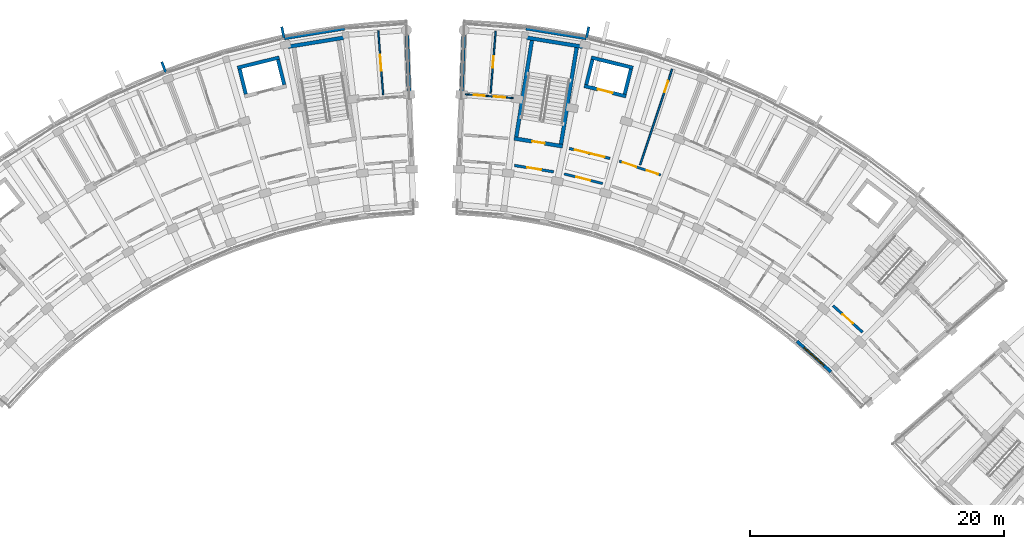
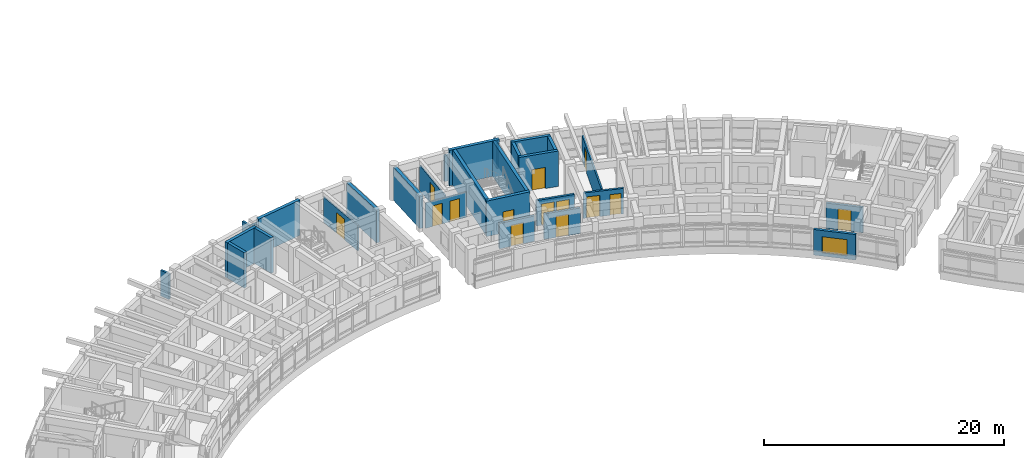
# One storey, part 62 of 83: 29 walls, 14 doors, 1 window, 15 openings.
"""IFC4 building model written with IfcOpenShell, lengths in metres."""

from ifc_helpers import new_model, si_unit, direction, frame, frame_2d, origin, place, context, subcontext, project, spatial, rectangle, extrude, material, layer, layer_set, type_object, element, fill, save


model = new_model("IFC4")

# Units and contexts
model_context = context("Model", 3, precision=1e-05, world=origin(), true_north=direction((0.0, 1.0)))
body_context = subcontext(model_context, "Body", "Model", "MODEL_VIEW")
ifc_project = project(units=[si_unit("LENGTHUNIT", "METRE"), si_unit("AREAUNIT", "SQUARE_METRE"), si_unit("VOLUMEUNIT", "CUBIC_METRE"), si_unit("PLANEANGLEUNIT", "RADIAN"), si_unit("MASSUNIT", "GRAM", prefix="KILO")], contexts=[model_context])

# Site, building, storey
site_placement = place(None, origin())
site = spatial("IfcSite", under=ifc_project, at=site_placement, CompositionType="ELEMENT")
building_placement = place(site_placement, origin())
building = spatial("IfcBuilding", under=site, at=building_placement, Name="Zimvara Arc Housing Community", CompositionType="ELEMENT")
storey_placement = place(building_placement, frame((0.0, 0.0, 4.5)))
storey = spatial("IfcBuildingStorey", under=building, at=storey_placement, Name="L01", CompositionType="ELEMENT", Elevation=4.5)

# Walls
ifc_material_1 = material(Name="Board-Marked Fair-Faced Concrete C35/45", Category="concrete")
ifc_layer_1 = layer(ifc_material_1, 0.195068359375)
ifc_layer_set_1 = layer_set([ifc_layer_1], Name="Board-Marked Fair-Faced Concrete C35/45")
wall_type_1 = type_object("IfcWallType", Name="EWL-PARA-195", PredefinedType="PARAPET", material=ifc_layer_set_1)
for number, where, z_axis, x_axis, name in (
    (1, (23.783203125, 100.0029296875, 0.0), (0.0, 0.0, 1.0), (-0.356942580168, 0.934126326823, 0.0), "finwall:blkA:L01:out:b6"),
    (2, (33.092529296875, 102.714599609375, 0.0), (0.0, 0.0, 1.0), (-0.200183211319, 0.979758481416, 0.0), "finwall:blkA:L01:out:b8"),
    (3, (56.907470703125, 102.714599609375, 0.0), (0.0, 0.0, 1.0), (0.200183211319, 0.979758481416, 0.0), "finwall:blkB:L01:out:b2"),
):
    element("IfcWall", number, at=place(storey_placement, frame(where, z_axis=z_axis, x_axis=x_axis)), inside=storey, type_object=wall_type_1, Name=name, PredefinedType="PARAPET", context=body_context, shape_type="SweptSolid", body=[
        extrude(rectangle(XDim=0.900146484375, YDim=0.195068359375, at=frame_2d((0.4501953125, 0.0))), origin(), (0.0, 0.0, 1.0), 2.60009765625),
    ])

# Wall, opening, window
ifc_material_2 = material(Name="Pigmented Fair-Faced Concrete C35/45", Category="concrete")
ifc_layer_2 = layer(ifc_material_2, 0.2451171875)
ifc_layer_set_2 = layer_set([ifc_layer_2], Name="Pigmented Fair-Faced Concrete C35/45")
wall_type_2 = type_object("IfcWallType", Name="EWL-PIGM-245", PredefinedType="SOLIDWALL", material=ifc_layer_set_2)
wall_1_placement = place(storey_placement, frame((73.480712890625, 78.84716796875, 0.0), z_axis=(0.0, 0.0, 1.0), x_axis=(0.743385092197, -0.668863666751, 0.0)))
wall_1 = element("IfcWall", 4, at=wall_1_placement, inside=storey, type_object=wall_type_2, Name="ewall:blkB:L01:in:b8", PredefinedType="SOLIDWALL", context=body_context, shape_type="SweptSolid", body=[
    extrude(rectangle(XDim=3.603759765625, YDim=0.2451171875, at=frame_2d((1.8017578125, 0.0))), origin(), (0.0, 0.0, 1.0), 2.60009765625),
])
opening_1_placement = place(wall_1_placement, frame((0.751708984375, 0.0, 0.320068359375)))
opening_1 = element("IfcOpeningElement", 5, at=opening_1_placement, cuts=wall_1, Name="Opening W09", PredefinedType="OPENING", context=body_context, shape_type="SweptSolid", body=[
    extrude(rectangle(XDim=2.10009765625, YDim=1.64990234375, at=frame_2d((1.050048828125, 0.824951171875))), frame((0.0, 0.132568359375, 0.0), z_axis=(0.0, -1.0, 0.0), x_axis=(1.0, 0.0, 0.0)), (0.0, 0.0, 1.0), 0.26513671875),
])
ifc_material_3 = material(Name="Solar Control Low-E Double Glazing", Category="glass")
window_type = type_object("IfcWindowType", Name="WIN-RES-2100x1650", PartitioningType="TRIPLE_PANEL_VERTICAL", PredefinedType="WINDOW", material=ifc_material_3)
window_placement = place(opening_1_placement, origin())
window = element("IfcWindow", 6, at=window_placement, inside=storey, type_object=window_type, Name="win:blkB:L01:in:b8", OverallHeight=1.64990234375, OverallWidth=2.10009765625, PartitioningType="TRIPLE_PANEL_VERTICAL", PredefinedType="WINDOW", context=body_context, shape_type="SweptSolid", body=[
    extrude(rectangle(XDim=2.10009765625, YDim=1.64990234375, at=frame_2d((1.050048828125, 0.824951171875))), frame((0.0, 0.030029296875, 0.0), z_axis=(0.0, -1.0, 0.0), x_axis=(1.0, 0.0, 0.0)), (0.0, 0.0, 1.0), 0.06005859375),
])
fill(opening_1, window)

# Walls
ifc_material_4 = material(Name="Board-Marked Fair-Faced Concrete C35/45", Category="concrete")
ifc_layer_3 = layer(ifc_material_4, 0.22802734375)
ifc_layer_set_3 = layer_set([ifc_layer_3], Name="Board-Marked Fair-Faced Concrete C35/45")
wall_type_3 = type_object("IfcWallType", Name="EWL-VAR-14", PredefinedType="SOLIDWALL", material=ifc_layer_set_3)
for number, where, z_axis, x_axis, name in (
    (7, (33.120361328125, 102.6787109375, 0.0), (0.0, 0.0, 1.0), (0.987080750493, 0.160223568819, 0.0), "ewall:blkA:L01:out:b8"),
    (8, (52.1328125, 103.44921875, 0.0), (0.0, 0.0, 1.0), (0.987080750493, -0.160223568819, 0.0), "ewall:blkB:L01:out:b1"),
):
    element("IfcWall", number, at=place(storey_placement, frame(where, z_axis=z_axis, x_axis=x_axis)), inside=storey, type_object=wall_type_3, Name=name, PredefinedType="SOLIDWALL", context=body_context, shape_type="SweptSolid", body=[
        extrude(rectangle(XDim=4.808837890625, YDim=0.22802734375, at=frame_2d((2.404296875, 0.0))), origin(), (0.0, 0.0, 1.0), 2.60009765625),
    ])

# Wall, opening, door
ifc_material_5 = material(Name="Concrete C35/45", Category="concrete")
ifc_layer_4 = layer(ifc_material_5, 0.2099609375)
ifc_layer_set_4 = layer_set([ifc_layer_4], Name="Concrete C35/45")
wall_type_4 = type_object("IfcWallType", Name="IWL-CCF-210", PredefinedType="SOLIDWALL", material=ifc_layer_set_4)
wall_2_placement = place(storey_placement, frame((51.236328125, 92.682861328125, 0.0), z_axis=(0.0, 0.0, 1.0), x_axis=(0.98707079686, -0.160284877599, 0.0)))
wall_2 = element("IfcWall", 9, at=wall_2_placement, inside=storey, type_object=wall_type_4, Name="iwall:blkB:L01:ccf_div:b1", PredefinedType="SOLIDWALL", context=body_context, shape_type="SweptSolid", body=[
    extrude(rectangle(XDim=3.128662109375, YDim=0.2099609375, at=frame_2d((1.564453125, 0.0))), origin(), (0.0, 0.0, 1.0), 2.580078125),
])
opening_2_placement = place(wall_2_placement, frame((1.014404296875, 0.0, 0.0)))
opening_2 = element("IfcOpeningElement", 10, at=opening_2_placement, cuts=wall_2, Name="Opening FD-CCF1", PredefinedType="OPENING", context=body_context, shape_type="SweptSolid", body=[
    extrude(rectangle(XDim=1.10009765625, YDim=2.14990234375, at=frame_2d((0.550048828125, 1.074951171875))), frame((0.0, 0.114990234375, 0.0), z_axis=(0.0, -1.0, 0.0), x_axis=(1.0, 0.0, 0.0)), (0.0, 0.0, 1.0), 0.22998046875),
])
ifc_material_6 = material(Name="Anodised Aluminium AW-6063", Category="aluminium")
door_type_1 = type_object("IfcDoorType", Name="IDR-CCF-1100x2150", OperationType="NOTDEFINED", PredefinedType="DOOR", material=ifc_material_6)
door_1_placement = place(opening_2_placement, origin())
door_1 = element("IfcDoor", 11, at=door_1_placement, inside=storey, type_object=door_type_1, Name="idoor:blkB:L01:ccf_in:b1", OperationType="SINGLE_SWING_LEFT", OverallHeight=2.14990234375, OverallWidth=1.10009765625, PredefinedType="DOOR", context=body_context, shape_type="SweptSolid", body=[
    extrude(rectangle(XDim=1.10009765625, YDim=2.14990234375, at=frame_2d((0.550048828125, 1.074951171875))), frame((0.0, 0.02490234375, 0.0), z_axis=(0.0, -1.0, 0.0), x_axis=(1.0, 0.0, 0.0)), (0.0, 0.0, 1.0), 0.050048828125),
])
fill(opening_2, door_1)

# Wall, openings, doors
wall_3_placement = place(storey_placement, frame((55.5576171875, 94.021728515625, 0.0), z_axis=(0.0, 0.0, 1.0), x_axis=(0.970719238682, -0.240216901263, 0.0)))
wall_3 = element("IfcWall", 12, at=wall_3_placement, inside=storey, type_object=wall_type_4, Name="iwall:blkB:L01:ll_div:b2", PredefinedType="SOLIDWALL", context=body_context, shape_type="SweptSolid", body=[
    extrude(rectangle(XDim=3.2958984375, YDim=0.2099609375, at=frame_2d((1.64794921875, 0.0))), origin(), (0.0, 0.0, 1.0), 2.580078125),
])
opening_3_placement = place(wall_3_placement, frame((0.449951171875, 0.0, 0.0)))
opening_3 = element("IfcOpeningElement", 13, at=opening_3_placement, cuts=wall_3, Name="Opening FD-CCF1", PredefinedType="OPENING", context=body_context, shape_type="SweptSolid", body=[
    extrude(rectangle(XDim=1.10009765625, YDim=2.14990234375, at=frame_2d((0.550048828125, 1.074951171875))), frame((0.0, 0.114990234375, 0.0), z_axis=(0.0, -1.0, 0.0), x_axis=(1.0, 0.0, 0.0)), (0.0, 0.0, 1.0), 0.22998046875),
])
opening_4_placement = place(wall_3_placement, frame((1.72607421875, 0.0, 0.0)))
opening_4 = element("IfcOpeningElement", 14, at=opening_4_placement, cuts=wall_3, Name="Opening D07", PredefinedType="OPENING", context=body_context, shape_type="SweptSolid", body=[
    extrude(rectangle(XDim=1.1201171875, YDim=2.14990234375, at=frame_2d((0.56005859375, 1.074951171875))), frame((0.0, 0.114990234375, 0.0), z_axis=(0.0, -1.0, 0.0), x_axis=(1.0, 0.0, 0.0)), (0.0, 0.0, 1.0), 0.22998046875),
])
ifc_material_7 = material(Name="Mozambican Hardwood", Category="wood")
door_type_2 = type_object("IfcDoorType", Name="IDR-AMN-1120x2150", OperationType="NOTDEFINED", PredefinedType="DOOR", material=ifc_material_7)
door_2_placement = place(opening_4_placement, origin())
door_2 = element("IfcDoor", 15, at=door_2_placement, inside=storey, type_object=door_type_2, Name="idoor:blkB:L01:rs_in:b2", OperationType="SINGLE_SWING_LEFT", OverallHeight=2.14990234375, OverallWidth=1.1201171875, PredefinedType="DOOR", context=body_context, shape_type="SweptSolid", body=[
    extrude(rectangle(XDim=1.1201171875, YDim=2.14990234375, at=frame_2d((0.56005859375, 1.074951171875))), frame((0.0, 0.02490234375, 0.0), z_axis=(0.0, -1.0, 0.0), x_axis=(1.0, 0.0, 0.0)), (0.0, 0.0, 1.0), 0.050048828125),
])
fill(opening_4, door_2)
door_3_placement = place(opening_3_placement, origin())
door_3 = element("IfcDoor", 16, at=door_3_placement, inside=storey, type_object=door_type_1, Name="idoor:blkB:L01:ll_in:b2", OperationType="SINGLE_SWING_RIGHT", OverallHeight=2.14990234375, OverallWidth=1.10009765625, PredefinedType="DOOR", context=body_context, shape_type="SweptSolid", body=[
    extrude(rectangle(XDim=1.10009765625, YDim=2.14990234375, at=frame_2d((0.550048828125, 1.074951171875))), frame((0.0, 0.02490234375, 0.0), z_axis=(0.0, -1.0, 0.0), x_axis=(1.0, 0.0, 0.0)), (0.0, 0.0, 1.0), 0.050048828125),
])
fill(opening_3, door_3)

# Wall, opening, door
wall_4_placement = place(storey_placement, frame((76.317138671875, 81.644287109375, 0.0), z_axis=(0.0, 0.0, 1.0), x_axis=(0.743387266925, -0.668861249718, 0.0)))
wall_4 = element("IfcWall", 17, at=wall_4_placement, inside=storey, type_object=wall_type_4, Name="iwall:blkB:L01:ccf_div:b8", PredefinedType="SOLIDWALL", context=body_context, shape_type="SweptSolid", body=[
    extrude(rectangle(XDim=3.12841796875, YDim=0.2099609375, at=frame_2d((1.564208984375, 0.0))), origin(), (0.0, 0.0, 1.0), 2.580078125),
])
opening_5_placement = place(wall_4_placement, frame((1.014404296875, 0.0, 0.0)))
opening_5 = element("IfcOpeningElement", 18, at=opening_5_placement, cuts=wall_4, Name="Opening FD-CCF1", PredefinedType="OPENING", context=body_context, shape_type="SweptSolid", body=[
    extrude(rectangle(XDim=1.10009765625, YDim=2.14990234375, at=frame_2d((0.550048828125, 1.074951171875))), frame((0.0, 0.114990234375, 0.0), z_axis=(0.0, -1.0, 0.0), x_axis=(1.0, 0.0, 0.0)), (0.0, 0.0, 1.0), 0.22998046875),
])
door_4_placement = place(opening_5_placement, origin())
door_4 = element("IfcDoor", 19, at=door_4_placement, inside=storey, type_object=door_type_1, Name="idoor:blkB:L01:ccf_in:b8", OperationType="SINGLE_SWING_LEFT", OverallHeight=2.14990234375, OverallWidth=1.10009765625, PredefinedType="DOOR", context=body_context, shape_type="SweptSolid", body=[
    extrude(rectangle(XDim=1.10009765625, YDim=2.14990234375, at=frame_2d((0.550048828125, 1.074951171875))), frame((0.0, 0.02490234375, 0.0), z_axis=(0.0, -1.0, 0.0), x_axis=(1.0, 0.0, 0.0)), (0.0, 0.0, 1.0), 0.050048828125),
])
fill(opening_5, door_4)

ifc_material_8 = material(Name="Concrete C35/45", Category="concrete")
ifc_layer_5 = layer(ifc_material_8, 0.18994140625)
ifc_layer_set_5 = layer_set([ifc_layer_5], Name="Concrete C35/45")
wall_type_5 = type_object("IfcWallType", Name="IWL-CORR-190", PredefinedType="SOLIDWALL", material=ifc_layer_set_5)
wall_5_placement = place(storey_placement, frame((55.146728515625, 92.01318359375, 0.0), z_axis=(0.0, 0.0, 1.0), x_axis=(0.970727194092, -0.240184751078, 0.0)))
wall_5 = element("IfcWall", 20, at=wall_5_placement, inside=storey, type_object=wall_type_5, Name="iwall:blkB:L01:ra_div:b2", PredefinedType="SOLIDWALL", context=body_context, shape_type="SweptSolid", body=[
    extrude(rectangle(XDim=3.128662109375, YDim=0.18994140625, at=frame_2d((1.564453125, 0.0))), origin(), (0.0, 0.0, 1.0), 2.580078125),
])
opening_6_placement = place(wall_5_placement, frame((1.00439453125, 0.0, 0.0)))
opening_6 = element("IfcOpeningElement", 21, at=opening_6_placement, cuts=wall_5, Name="Opening D07", PredefinedType="OPENING", context=body_context, shape_type="SweptSolid", body=[
    extrude(rectangle(XDim=1.1201171875, YDim=2.14990234375, at=frame_2d((0.56005859375, 1.074951171875))), frame((0.0, 0.10498046875, 0.0), z_axis=(0.0, -1.0, 0.0), x_axis=(1.0, 0.0, 0.0)), (0.0, 0.0, 1.0), 0.2099609375),
])
door_5_placement = place(opening_6_placement, origin())
door_5 = element("IfcDoor", 22, at=door_5_placement, inside=storey, type_object=door_type_2, Name="idoor:blkB:L01:ra_d:b2", OperationType="SINGLE_SWING_RIGHT", OverallHeight=2.14990234375, OverallWidth=1.1201171875, PredefinedType="DOOR", context=body_context, shape_type="SweptSolid", body=[
    extrude(rectangle(XDim=1.1201171875, YDim=2.14990234375, at=frame_2d((0.56005859375, 1.074951171875))), frame((0.0, 0.02490234375, 0.0), z_axis=(0.0, -1.0, 0.0), x_axis=(1.0, 0.0, 0.0)), (0.0, 0.0, 1.0), 0.050048828125),
])
fill(opening_6, door_5)

# Wall, openings, doors
wall_6_placement = place(storey_placement, frame((59.49658203125, 93.017578125, 0.0), z_axis=(0.0, 0.0, 1.0), x_axis=(0.947863007629, -0.318678080151, 0.0)))
wall_6 = element("IfcWall", 23, at=wall_6_placement, inside=storey, type_object=wall_type_5, Name="iwall:blkB:L01:corr_out:b3", PredefinedType="SOLIDWALL", context=body_context, shape_type="SweptSolid", body=[
    extrude(rectangle(XDim=3.43603515625, YDim=0.18994140625, at=frame_2d((1.718017578125, 0.0))), origin(), (0.0, 0.0, 1.0), 2.580078125),
])
opening_7_placement = place(wall_6_placement, frame((0.280029296875, 0.0, 0.0)))
opening_7 = element("IfcOpeningElement", 24, at=opening_7_placement, cuts=wall_6, Name="Opening D07", PredefinedType="OPENING", context=body_context, shape_type="SweptSolid", body=[
    extrude(rectangle(XDim=1.1201171875, YDim=2.14990234375, at=frame_2d((0.56005859375, 1.074951171875))), frame((0.0, 0.10498046875, 0.0), z_axis=(0.0, -1.0, 0.0), x_axis=(1.0, 0.0, 0.0)), (0.0, 0.0, 1.0), 0.2099609375),
])
opening_8_placement = place(wall_6_placement, frame((2.26611328125, 0.0, 0.0)))
opening_8 = element("IfcOpeningElement", 25, at=opening_8_placement, cuts=wall_6, Name="Opening D06", PredefinedType="OPENING", context=body_context, shape_type="SweptSolid", body=[
    extrude(rectangle(XDim=0.949951171875, YDim=2.10009765625, at=frame_2d((0.47509765625, 1.050048828125))), frame((0.0, 0.10498046875, 0.0), z_axis=(0.0, -1.0, 0.0), x_axis=(1.0, 0.0, 0.0)), (0.0, 0.0, 1.0), 0.2099609375),
])
door_6_placement = place(opening_7_placement, origin())
door_6 = element("IfcDoor", 26, at=door_6_placement, inside=storey, type_object=door_type_2, Name="idoor:blkB:L01:amen:b3", OperationType="SINGLE_SWING_LEFT", OverallHeight=2.14990234375, OverallWidth=1.1201171875, PredefinedType="DOOR", context=body_context, shape_type="SweptSolid", body=[
    extrude(rectangle(XDim=1.1201171875, YDim=2.14990234375, at=frame_2d((0.56005859375, 1.074951171875))), frame((0.0, 0.02490234375, 0.0), z_axis=(0.0, -1.0, 0.0), x_axis=(1.0, 0.0, 0.0)), (0.0, 0.0, 1.0), 0.050048828125),
])
fill(opening_7, door_6)
ifc_material_9 = material(Name="Mozambican Hardwood", Category="wood")
door_type_3 = type_object("IfcDoorType", Name="IDR-AWC-0950x2100", OperationType="NOTDEFINED", PredefinedType="DOOR", material=ifc_material_9)
door_7_placement = place(opening_8_placement, origin())
door_7 = element("IfcDoor", 27, at=door_7_placement, inside=storey, type_object=door_type_3, Name="idoor:blkB:L01:cawc:b3", OperationType="SINGLE_SWING_RIGHT", OverallHeight=2.10009765625, OverallWidth=0.949951171875, PredefinedType="DOOR", context=body_context, shape_type="SweptSolid", body=[
    extrude(rectangle(XDim=0.949951171875, YDim=2.10009765625, at=frame_2d((0.47509765625, 1.050048828125))), frame((0.0, 0.02490234375, 0.0), z_axis=(0.0, -1.0, 0.0), x_axis=(1.0, 0.0, 0.0)), (0.0, 0.0, 1.0), 0.050048828125),
])
fill(opening_8, door_7)

ifc_material_10 = material(Name="Painted Acoustic Plasterboard")
ifc_layer_6 = layer(ifc_material_10, 0.10498046875)
ifc_layer_set_6 = layer_set([ifc_layer_6], Name="Painted Acoustic Plasterboard")
wall_type_6 = type_object("IfcWallType", Name="IWL-PART-105", PredefinedType="PARTITIONING", material=ifc_layer_set_6)
wall_7_placement = place(storey_placement, frame((47.3662109375, 98.28662109375, 0.0), z_axis=(0.0, 0.0, 1.0), x_axis=(0.996863138536, -0.079144696778, 0.0)))
wall_7 = element("IfcWall", 28, at=wall_7_placement, inside=storey, type_object=wall_type_6, Name="iwall:blkB:L01:srv:b0", PredefinedType="PARTITIONING", context=body_context, shape_type="SweptSolid", body=[
    extrude(rectangle(XDim=3.79736328125, YDim=0.10498046875, at=frame_2d((1.898681640625, 0.0))), origin(), (0.0, 0.0, 1.0), 2.580078125),
])
opening_9_placement = place(wall_7_placement, frame((0.64990234375, 0.0, 0.0)))
opening_9 = element("IfcOpeningElement", 29, at=opening_9_placement, cuts=wall_7, Name="Opening D01", PredefinedType="OPENING", context=body_context, shape_type="SweptSolid", body=[
    extrude(rectangle(XDim=0.89990234375, YDim=2.10009765625, at=frame_2d((0.449951171875, 1.050048828125))), frame((0.0, 0.0625, 0.0), z_axis=(0.0, -1.0, 0.0), x_axis=(1.0, 0.0, 0.0)), (0.0, 0.0, 1.0), 0.125),
])
opening_10_placement = place(wall_7_placement, frame((2.267333984375, 0.0, 0.0)))
opening_10 = element("IfcOpeningElement", 30, at=opening_10_placement, cuts=wall_7, Name="Opening D05", PredefinedType="OPENING", context=body_context, shape_type="SweptSolid", body=[
    extrude(rectangle(XDim=0.8798828125, YDim=2.10009765625, at=frame_2d((0.43994140625, 1.050048828125))), frame((0.0, 0.0625, 0.0), z_axis=(0.0, -1.0, 0.0), x_axis=(1.0, 0.0, 0.0)), (0.0, 0.0, 1.0), 0.125),
])
ifc_material_11 = material(Name="Mozambican Hardwood", Category="wood")
door_type_4 = type_object("IfcDoorType", Name="IDR-RM-0900x2100", OperationType="NOTDEFINED", PredefinedType="DOOR", material=ifc_material_11)
door_8_placement = place(opening_9_placement, origin())
door_8 = element("IfcDoor", 31, at=door_8_placement, inside=storey, type_object=door_type_4, Name="idoor:blkB:L01:kit_liv:b0", OperationType="SINGLE_SWING_RIGHT", OverallHeight=2.10009765625, OverallWidth=0.89990234375, PredefinedType="DOOR", context=body_context, shape_type="SweptSolid", body=[
    extrude(rectangle(XDim=0.89990234375, YDim=2.10009765625, at=frame_2d((0.449951171875, 1.050048828125))), frame((0.0, 0.02490234375, 0.0), z_axis=(0.0, -1.0, 0.0), x_axis=(1.0, 0.0, 0.0)), (0.0, 0.0, 1.0), 0.050048828125),
])
fill(opening_9, door_8)
ifc_material_12 = material(Name="Mozambican Hardwood", Category="wood")
door_type_5 = type_object("IfcDoorType", Name="IDR-WC-0880x2100", OperationType="NOTDEFINED", PredefinedType="DOOR", material=ifc_material_12)
door_9_placement = place(opening_10_placement, origin())
door_9 = element("IfcDoor", 32, at=door_9_placement, inside=storey, type_object=door_type_5, Name="idoor:blkB:L01:bath_d:b0", OperationType="SINGLE_SWING_LEFT", OverallHeight=2.10009765625, OverallWidth=0.8798828125, PredefinedType="DOOR", context=body_context, shape_type="SweptSolid", body=[
    extrude(rectangle(XDim=0.8798828125, YDim=2.10009765625, at=frame_2d((0.43994140625, 1.050048828125))), frame((0.0, 0.02490234375, 0.0), z_axis=(0.0, -1.0, 0.0), x_axis=(1.0, 0.0, 0.0)), (0.0, 0.0, 1.0), 0.050048828125),
])
fill(opening_10, door_9)

# Wall, opening, door
ifc_material_13 = material(Name="Painted Acoustic Plasterboard")
ifc_layer_7 = layer(ifc_material_13, 0.1201171875)
ifc_layer_set_7 = layer_set([ifc_layer_7], Name="Painted Acoustic Plasterboard")
wall_type_7 = type_object("IfcWallType", Name="IWL-PART-120", PredefinedType="PARTITIONING", material=ifc_layer_set_7)
wall_8_placement = place(storey_placement, frame((40.8955078125, 98.243408203125, 0.0), z_axis=(0.0, 0.0, 1.0), x_axis=(-0.076141951799, 0.997096987848, 0.0)))
wall_8 = element("IfcWall", 33, at=wall_8_placement, inside=storey, type_object=wall_type_7, Name="iwall:blkA:L01:bed_div:b9", PredefinedType="PARTITIONING", context=body_context, shape_type="SweptSolid", body=[
    extrude(rectangle(XDim=5.050048828125, YDim=0.1201171875, at=frame_2d((2.52490234375, 0.0))), origin(), (0.0, 0.0, 1.0), 2.580078125),
])
opening_11_placement = place(wall_8_placement, frame((1.905029296875, 0.0, 0.0)))
opening_11 = element("IfcOpeningElement", 34, at=opening_11_placement, cuts=wall_8, Name="Opening D19", PredefinedType="OPENING", context=body_context, shape_type="SweptSolid", body=[
    extrude(rectangle(XDim=1.239990234375, YDim=2.10009765625, at=frame_2d((0.6201171875, 1.050048828125))), frame((0.0, 0.070068359375, 0.0), z_axis=(0.0, -1.0, 0.0), x_axis=(1.0, 0.0, 0.0)), (0.0, 0.0, 1.0), 0.14013671875),
])
ifc_material_14 = material(Name="Mozambican Hardwood", Category="wood")
door_type_6 = type_object("IfcDoorType", Name="IDR-MOD-1240x2180", OperationType="NOTDEFINED", PredefinedType="DOOR", material=ifc_material_14)
door_10_placement = place(opening_11_placement, origin())
door_10 = element("IfcDoor", 35, at=door_10_placement, inside=storey, type_object=door_type_6, Name="idoor:blkA:L01:bed_d:b9", OperationType="SINGLE_SWING_LEFT", OverallHeight=2.10009765625, OverallWidth=1.239990234375, PredefinedType="DOOR", context=body_context, shape_type="SweptSolid", body=[
    extrude(rectangle(XDim=1.239990234375, YDim=2.10009765625, at=frame_2d((0.6201171875, 1.050048828125))), frame((0.0, 0.02490234375, 0.0), z_axis=(0.0, -1.0, 0.0), x_axis=(1.0, 0.0, 0.0)), (0.0, 0.0, 1.0), 0.050048828125),
])
fill(opening_11, door_10)

wall_9_placement = place(storey_placement, frame((49.359619140625, 98.373779296875, 0.0), z_axis=(0.0, 0.0, 1.0), x_axis=(0.080666032472, 0.996741185667, 0.0)))
wall_9 = element("IfcWall", 36, at=wall_9_placement, inside=storey, type_object=wall_type_7, Name="iwall:blkB:L01:bed_div:b0", PredefinedType="PARTITIONING", context=body_context, shape_type="SweptSolid", body=[
    extrude(rectangle(XDim=4.89990234375, YDim=0.1201171875, at=frame_2d((2.449951171875, 0.0))), origin(), (0.0, 0.0, 1.0), 2.580078125),
])
opening_12_placement = place(wall_9_placement, frame((2.0, 0.0, 0.0)))
opening_12 = element("IfcOpeningElement", 37, at=opening_12_placement, cuts=wall_9, Name="Opening D01", PredefinedType="OPENING", context=body_context, shape_type="SweptSolid", body=[
    extrude(rectangle(XDim=0.89990234375, YDim=2.10009765625, at=frame_2d((0.449951171875, 1.050048828125))), frame((0.0, 0.070068359375, 0.0), z_axis=(0.0, -1.0, 0.0), x_axis=(1.0, 0.0, 0.0)), (0.0, 0.0, 1.0), 0.14013671875),
])
door_11_placement = place(opening_12_placement, origin())
door_11 = element("IfcDoor", 38, at=door_11_placement, inside=storey, type_object=door_type_4, Name="idoor:blkB:L01:bed_d:b0", OperationType="SINGLE_SWING_RIGHT", OverallHeight=2.10009765625, OverallWidth=0.89990234375, PredefinedType="DOOR", context=body_context, shape_type="SweptSolid", body=[
    extrude(rectangle(XDim=0.89990234375, YDim=2.10009765625, at=frame_2d((0.449951171875, 1.050048828125))), frame((0.0, 0.02490234375, 0.0), z_axis=(0.0, -1.0, 0.0), x_axis=(1.0, 0.0, 0.0)), (0.0, 0.0, 1.0), 0.050048828125),
])
fill(opening_12, door_11)

ifc_material_15 = material(Name="Painted Acoustic Plasterboard")
ifc_layer_8 = layer(ifc_material_15, 0.139892578125)
ifc_layer_set_8 = layer_set([ifc_layer_8], Name="Painted Acoustic Plasterboard")
wall_type_8 = type_object("IfcWallType", Name="IWL-PART-140", PredefinedType="PARTITIONING", material=ifc_layer_set_8)
wall_10_placement = place(storey_placement, frame((61.129638671875, 92.72412109375, 0.0), z_axis=(0.0, 0.0, 1.0), x_axis=(0.317204178278, 0.948357268798, 0.0)))
wall_10 = element("IfcWall", 39, at=wall_10_placement, inside=storey, type_object=wall_type_8, Name="iwall:blkB:L01:amen_div:b3", PredefinedType="PARTITIONING", context=body_context, shape_type="SweptSolid", body=[
    extrude(rectangle(XDim=7.949951171875, YDim=0.139892578125, at=frame_2d((3.97509765625, 0.0))), origin(), (0.0, 0.0, 1.0), 2.580078125),
])
opening_13_placement = place(wall_10_placement, frame((6.050048828125, 0.0, 0.0)))
opening_13 = element("IfcOpeningElement", 40, at=opening_13_placement, cuts=wall_10, Name="Opening D02", PredefinedType="OPENING", context=body_context, shape_type="SweptSolid", body=[
    extrude(rectangle(XDim=0.919921875, YDim=2.10009765625, at=frame_2d((0.4599609375, 1.050048828125))), frame((0.0, 0.079833984375, 0.0), z_axis=(0.0, -1.0, 0.0), x_axis=(1.0, 0.0, 0.0)), (0.0, 0.0, 1.0), 0.159912109375),
])
ifc_material_16 = material(Name="Mozambican Hardwood", Category="wood")
door_type_7 = type_object("IfcDoorType", Name="IDR-RM-0920x2100", OperationType="NOTDEFINED", PredefinedType="DOOR", material=ifc_material_16)
door_12_placement = place(opening_13_placement, origin())
door_12 = element("IfcDoor", 41, at=door_12_placement, inside=storey, type_object=door_type_7, Name="idoor:blkB:L01:laund_d:b3", OperationType="SINGLE_SWING_RIGHT", OverallHeight=2.10009765625, OverallWidth=0.919921875, PredefinedType="DOOR", context=body_context, shape_type="SweptSolid", body=[
    extrude(rectangle(XDim=0.919921875, YDim=2.10009765625, at=frame_2d((0.4599609375, 1.050048828125))), frame((0.0, 0.02490234375, 0.0), z_axis=(0.0, -1.0, 0.0), x_axis=(1.0, 0.0, 0.0)), (0.0, 0.0, 1.0), 0.050048828125),
])
fill(opening_13, door_12)

# Walls
ifc_material_17 = material(Name="Concrete C40/50", Category="concrete")
ifc_layer_9 = layer(ifc_material_17, 0.280029296875)
ifc_layer_set_9 = layer_set([ifc_layer_9], Name="Concrete C40/50")
wall_type_9 = type_object("IfcWallType", Name="WL-CORE-280", PredefinedType="SHEAR", material=ifc_layer_set_9)
wall_11_placement = place(storey_placement, frame((32.71826171875, 101.1845703125, 0.0), z_axis=(0.0, 0.0, 1.0), x_axis=(-0.970711699588, -0.240247364777, 0.0)))
element("IfcWall", 42, at=wall_11_placement, inside=storey, type_object=wall_type_9, Name="lwall:LF-A2:L01:back", PredefinedType="SHEAR", context=body_context, shape_type="SweptSolid", body=[
    extrude(rectangle(XDim=3.39013671875, YDim=0.280029296875, at=frame_2d((1.695068359375, 0.0))), origin(), (0.0, 0.0, 1.0), 3.60009765625),
])
wall_12_placement = place(storey_placement, frame((33.103515625, 99.04443359375, 0.0), z_axis=(0.0, 0.0, 1.0), x_axis=(-0.240186044774, 0.970726873995, 0.0)))
element("IfcWall", 43, at=wall_12_placement, inside=storey, type_object=wall_type_9, Name="lwall:LF-A2:L01:left", PredefinedType="SHEAR", context=body_context, shape_type="SweptSolid", body=[
    extrude(rectangle(XDim=2.02978515625, YDim=0.280029296875, at=frame_2d((1.014892578125, 0.0))), origin(), (0.0, 0.0, 1.0), 3.60009765625),
])
wall_13_placement = place(storey_placement, frame((30.084716796875, 98.29736328125, 0.0), z_axis=(0.0, 0.0, 1.0), x_axis=(-0.2402993748, 0.970698825832, 0.0)))
element("IfcWall", 44, at=wall_13_placement, inside=storey, type_object=wall_type_9, Name="lwall:LF-A2:L01:right", PredefinedType="SHEAR", context=body_context, shape_type="SweptSolid", body=[
    extrude(rectangle(XDim=2.030029296875, YDim=0.280029296875, at=frame_2d((1.01513671875, 0.0))), origin(), (0.0, 0.0, 1.0), 3.60009765625),
])

# Wall, opening, door
wall_14_placement = place(storey_placement, frame((60.017578125, 98.127685546875, 0.0), z_axis=(0.0, 0.0, 1.0), x_axis=(-0.970707542441, 0.240264160972, 0.0)))
wall_14 = element("IfcWall", 45, at=wall_14_placement, inside=storey, type_object=wall_type_9, Name="lwall:LF-B1:L01:front", PredefinedType="SHEAR", context=body_context, shape_type="SweptSolid", body=[
    extrude(rectangle(XDim=3.389892578125, YDim=0.280029296875, at=frame_2d((1.69482421875, 0.0))), origin(), (0.0, 0.0, 1.0), 3.60009765625),
])
opening_14_placement = place(wall_14_placement, frame((1.094970703125, 0.0, 0.0)))
opening_14 = element("IfcOpeningElement", 46, at=opening_14_placement, cuts=wall_14, Name="Opening LD-LF-B1", PredefinedType="OPENING", context=body_context, shape_type="SweptSolid", body=[
    extrude(rectangle(XDim=1.199951171875, YDim=2.14990234375, at=frame_2d((0.60009765625, 1.074951171875))), frame((0.0, 0.14990234375, 0.0), z_axis=(0.0, -1.0, 0.0), x_axis=(1.0, 0.0, 0.0)), (0.0, 0.0, 1.0), 0.300048828125),
])
ifc_material_18 = material(Name="Anodised Aluminium AW-6063", Category="aluminium")
door_type_8 = type_object("IfcDoorType", Name="IDR-LD-1200x2150", OperationType="DOUBLE_DOOR_SLIDING", PredefinedType="DOOR", material=ifc_material_18)
door_13_placement = place(opening_14_placement, origin())
door_13 = element("IfcDoor", 47, at=door_13_placement, inside=storey, type_object=door_type_8, Name="Lift LF-B1 Sliding Landing Door L01", OperationType="DOUBLE_DOOR_SLIDING", OverallHeight=2.14990234375, OverallWidth=1.199951171875, PredefinedType="DOOR", context=body_context, shape_type="SweptSolid", body=[
    extrude(rectangle(XDim=1.199951171875, YDim=2.14990234375, at=frame_2d((0.60009765625, 1.074951171875))), frame((0.0, 0.02490234375, 0.0), z_axis=(0.0, -1.0, 0.0), x_axis=(1.0, 0.0, 0.0)), (0.0, 0.0, 1.0), 0.050048828125),
])
fill(opening_14, door_13)

# Walls
wall_15_placement = place(storey_placement, frame((60.572509765625, 100.3701171875, 0.0), z_axis=(0.0, 0.0, 1.0), x_axis=(-0.970711699588, 0.240247364777, 0.0)))
element("IfcWall", 48, at=wall_15_placement, inside=storey, type_object=wall_type_9, Name="lwall:LF-B1:L01:back", PredefinedType="SHEAR", context=body_context, shape_type="SweptSolid", body=[
    extrude(rectangle(XDim=3.39013671875, YDim=0.280029296875, at=frame_2d((1.695068359375, 0.0))), origin(), (0.0, 0.0, 1.0), 3.60009765625),
])
wall_16_placement = place(storey_placement, frame((59.915283203125, 98.29736328125, 0.0), z_axis=(0.0, 0.0, 1.0), x_axis=(0.2402993748, 0.970698825832, 0.0)))
element("IfcWall", 49, at=wall_16_placement, inside=storey, type_object=wall_type_9, Name="lwall:LF-B1:L01:left", PredefinedType="SHEAR", context=body_context, shape_type="SweptSolid", body=[
    extrude(rectangle(XDim=2.030029296875, YDim=0.280029296875, at=frame_2d((1.01513671875, 0.0))), origin(), (0.0, 0.0, 1.0), 3.60009765625),
])
wall_17_placement = place(storey_placement, frame((56.896484375, 99.04443359375, 0.0), z_axis=(0.0, 0.0, 1.0), x_axis=(0.240186044774, 0.970726873995, 0.0)))
element("IfcWall", 50, at=wall_17_placement, inside=storey, type_object=wall_type_9, Name="lwall:LF-B1:L01:right", PredefinedType="SHEAR", context=body_context, shape_type="SweptSolid", body=[
    extrude(rectangle(XDim=2.02978515625, YDim=0.280029296875, at=frame_2d((1.014892578125, 0.0))), origin(), (0.0, 0.0, 1.0), 3.60009765625),
])
ifc_material_19 = material(Name="Concrete C40/50", Category="concrete")
ifc_layer_10 = layer(ifc_material_19, 0.300048828125)
ifc_layer_set_10 = layer_set([ifc_layer_10], Name="Concrete C40/50")
wall_type_10 = type_object("IfcWallType", Name="WL-CORE-300", PredefinedType="SHEAR", material=ifc_layer_set_10)
wall_18_placement = place(storey_placement, frame((37.8095703125, 102.745361328125, 0.0), z_axis=(0.0, 0.0, 1.0), x_axis=(-0.987084710126, -0.160199173019, 0.0)))
element("IfcWall", 51, at=wall_18_placement, inside=storey, type_object=wall_type_10, Name="cwall:ST-A2:L01:far", PredefinedType="SHEAR", context=body_context, shape_type="SweptSolid", body=[
    extrude(rectangle(XDim=4.4697265625, YDim=0.300048828125, at=frame_2d((2.23486328125, 0.0))), origin(), (0.0, 0.0, 1.0), 3.60009765625),
])

# Wall, opening, door
wall_19_placement = place(storey_placement, frame((55.026123046875, 94.1904296875, 0.0), z_axis=(0.0, 0.0, 1.0), x_axis=(-0.987077443397, 0.160243941341, 0.0)))
wall_19 = element("IfcWall", 52, at=wall_19_placement, inside=storey, type_object=wall_type_10, Name="cwall:ST-B1:L01:near", PredefinedType="SHEAR", context=body_context, shape_type="SweptSolid", body=[
    extrude(rectangle(XDim=3.869873046875, YDim=0.300048828125, at=frame_2d((1.93505859375, 0.0))), origin(), (0.0, 0.0, 1.0), 3.60009765625),
])
opening_15_placement = place(wall_19_placement, frame((1.43505859375, 0.0, 0.0)))
opening_15 = element("IfcOpeningElement", 53, at=opening_15_placement, cuts=wall_19, Name="Opening FD-ST1", PredefinedType="OPENING", context=body_context, shape_type="SweptSolid", body=[
    extrude(rectangle(XDim=1.0, YDim=2.14990234375, at=frame_2d((0.5, 1.074951171875))), frame((0.0, 0.159912109375, 0.0), z_axis=(0.0, -1.0, 0.0), x_axis=(1.0, 0.0, 0.0)), (0.0, 0.0, 1.0), 0.320068359375),
])
ifc_material_20 = material(Name="Anodised Aluminium AW-6063", Category="aluminium")
door_type_9 = type_object("IfcDoorType", Name="IDR-ST-1000x2150", OperationType="NOTDEFINED", PredefinedType="DOOR", material=ifc_material_20)
door_14_placement = place(opening_15_placement, origin())
door_14 = element("IfcDoor", 54, at=door_14_placement, inside=storey, type_object=door_type_9, Name="idoor:ST-B1:L01:entry", OperationType="SINGLE_SWING_LEFT", OverallHeight=2.14990234375, OverallWidth=1.0, PredefinedType="DOOR", context=body_context, shape_type="SweptSolid", body=[
    extrude(rectangle(XDim=1.0, YDim=2.14990234375, at=frame_2d((0.5, 1.074951171875))), frame((0.0, 0.02490234375, 0.0), z_axis=(0.0, -1.0, 0.0), x_axis=(1.0, 0.0, 0.0)), (0.0, 0.0, 1.0), 0.050048828125),
])
fill(opening_15, door_14)

# Walls
wall_20_placement = place(storey_placement, frame((56.6025390625, 102.029296875, 0.0), z_axis=(0.0, 0.0, 1.0), x_axis=(-0.987084710126, 0.160199173019, 0.0)))
element("IfcWall", 55, at=wall_20_placement, inside=storey, type_object=wall_type_10, Name="cwall:ST-B1:L01:far", PredefinedType="SHEAR", context=body_context, shape_type="SweptSolid", body=[
    extrude(rectangle(XDim=4.4697265625, YDim=0.300048828125, at=frame_2d((2.23486328125, 0.0))), origin(), (0.0, 0.0, 1.0), 3.60009765625),
])
for number, where, z_axis, x_axis, name in (
    (56, (54.902099609375, 94.362548828125, 0.0), (0.0, 0.0, 1.0), (0.160227496777, 0.987080112897, 0.0), "cwall:ST-B1:L01:left"),
    (57, (51.37841796875, 94.9345703125, 0.0), (0.0, 0.0, 1.0), (0.160196564502, 0.987085133472, 0.0), "cwall:ST-B1:L01:right"),
):
    element("IfcWall", number, at=place(storey_placement, frame(where, z_axis=z_axis, x_axis=x_axis)), inside=storey, type_object=wall_type_10, Name=name, PredefinedType="SHEAR", context=body_context, shape_type="SweptSolid", body=[
        extrude(rectangle(XDim=7.690185546875, YDim=0.300048828125, at=frame_2d((3.84521484375, 0.0))), origin(), (0.0, 0.0, 1.0), 3.60009765625),
    ])
ifc_material_21 = material(Name="Concrete C40/50", Category="concrete")
ifc_layer_11 = layer(ifc_material_21, 0.31005859375)
ifc_layer_set_11 = layer_set([ifc_layer_11], Name="Concrete C40/50")
wall_type_11 = type_object("IfcWallType", Name="WL-SHEAR-310", PredefinedType="SHEAR", material=ifc_layer_set_11)
for number, where, z_axis, x_axis, name in (
    (58, (42.927734375, 98.440185546875, 0.0), (0.0, 0.0, 1.0), (-0.038379487611, 0.999263236055, 0.0), "swall:blkA:L01:east"),
    (59, (47.072265625, 98.440185546875, 0.0), (0.0, 0.0, 1.0), (0.038379487611, 0.999263236055, 0.0), "swall:blkB:L01:west"),
):
    element("IfcWall", number, at=place(storey_placement, frame(where, z_axis=z_axis, x_axis=x_axis)), inside=storey, type_object=wall_type_11, Name=name, PredefinedType="SHEAR", context=body_context, shape_type="SweptSolid", body=[
        extrude(rectangle(XDim=4.719970703125, YDim=0.31005859375, at=frame_2d((2.35986328125, 0.0))), origin(), (0.0, 0.0, 1.0), 3.360107421875),
    ])

save(model, "model.ifc")
